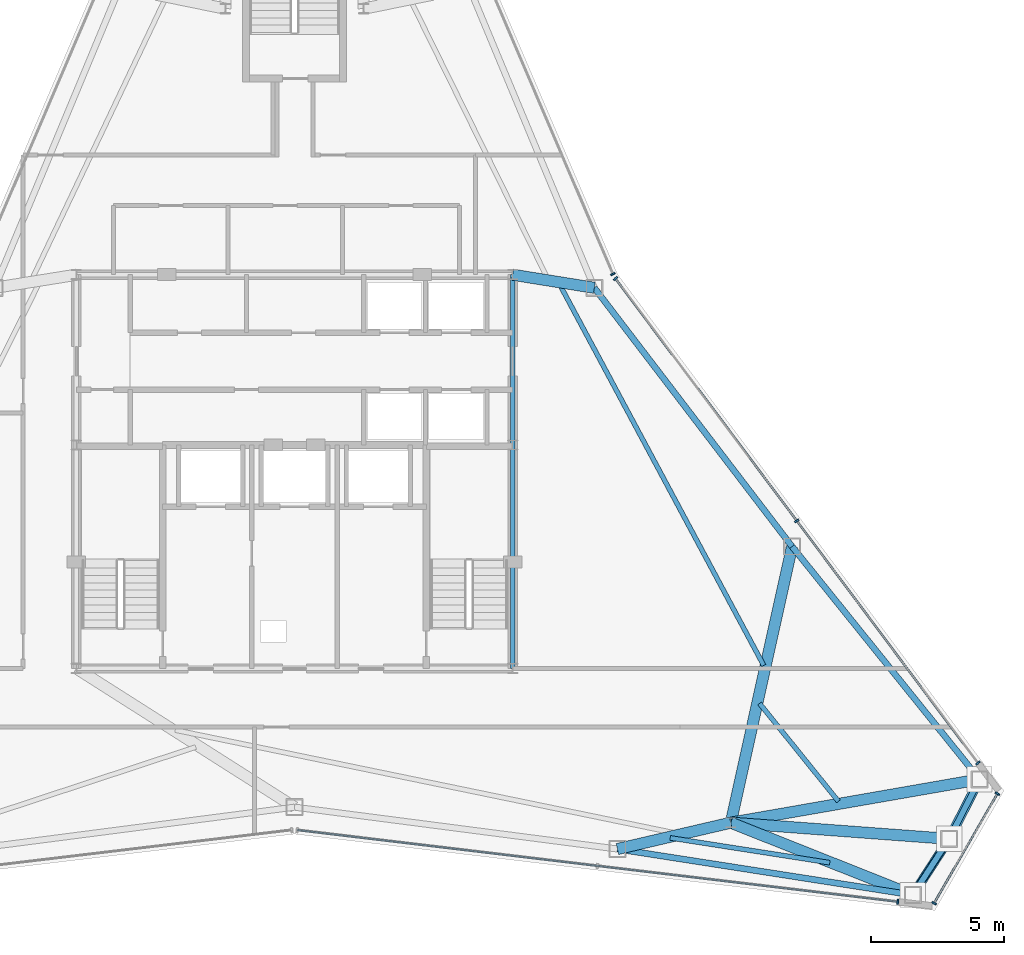
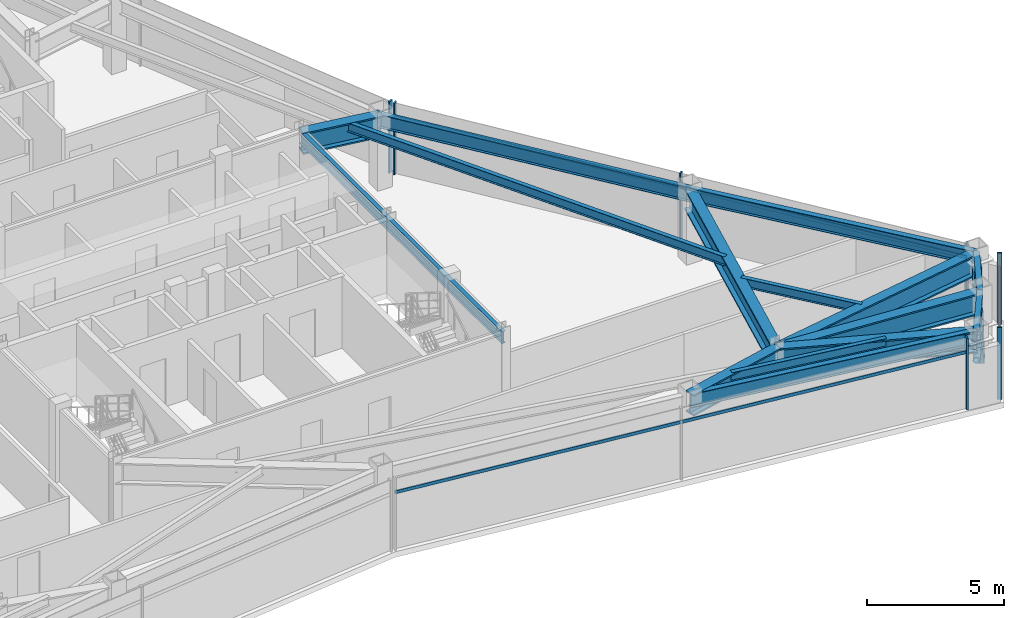
# One storey, part 6 of 12: 15 beams, 13 members, 4 elements without a shape of their own.
"""IFC4 building model written with IfcOpenShell, lengths in metres."""

import ifcopenshell
import ifcopenshell.guid

model = None  # the IFC model being written
_history = None  # IfcOwnerHistory: only IFC2X3 demands one
_inside = {}  # id of a spatial element -> (the spatial element, [elements in it])
_under = {}  # id of a project, library or spatial element -> (it, [spatial elements below it])
_declared = {}  # id of a project -> (the project, [libraries it declares])
_typed = {}  # id of a type object -> (the type object, [elements of that type])
_made_of = {}  # id of a material, layer set ... -> (it, [elements and type objects made of it])


def new_model(schema):
    """Start an empty IFC model of exactly this schema.

    Asked for "IFC4X3", IfcOpenShell would pick the latest addendum, in which some entities
    have other attributes; the version numbers below select the first issue.
    IFC2X3 requires an IfcOwnerHistory on every rooted entity: one is made here for all.
    """
    global model, _history
    if schema == "IFC4X3":
        model = ifcopenshell.file(schema_version=(4, 3, 0, 0))
    else:
        model = ifcopenshell.file(schema=schema)
    _inside.clear()
    _under.clear()
    _declared.clear()
    _typed.clear()
    _made_of.clear()
    _history = None
    if model.schema == "IFC2X3":
        org = make("IfcOrganization", Name="unknown")
        user = make(
            "IfcPersonAndOrganization",
            ThePerson=make("IfcPerson", FamilyName="unknown"),
            TheOrganization=org,
        )
        app = make(
            "IfcApplication",
            ApplicationDeveloper=org,
            Version="unknown",
            ApplicationFullName="unknown",
            ApplicationIdentifier="unknown",
        )
        _history = make(
            "IfcOwnerHistory",
            OwningUser=user,
            OwningApplication=app,
            ChangeAction="ADDED",
            CreationDate=0,
        )
    return model


def make(cls, **values):
    """One entity of the class cls with the attributes given. An attribute that is None is left unset."""
    return model.create_entity(
        cls, **{name: value for name, value in values.items() if value is not None}
    )


def rooted(cls, **values):
    """An entity with a GlobalId (a new one), such as an element, a storey or a relation."""
    return make(cls, GlobalId=ifcopenshell.guid.new(), OwnerHistory=_history, **values)


def si_unit(unit_type, name, prefix=None):
    """IfcSIUnit, for example si_unit("LENGTHUNIT", "METRE", prefix="MILLI")."""
    return make("IfcSIUnit", UnitType=unit_type, Prefix=prefix, Name=name)


def assignment(units):
    """IfcUnitAssignment: the units of a project."""
    return None if units is None else make("IfcUnitAssignment", Units=units)


def point(xyz):
    """IfcCartesianPoint."""
    return None if xyz is None else make("IfcCartesianPoint", Coordinates=xyz)


def direction(xyz):
    """IfcDirection."""
    return None if xyz is None else make("IfcDirection", DirectionRatios=xyz)


def frame(location, z_axis=None, x_axis=None):
    """IfcAxis2Placement3D, a coordinate frame: its origin and axes. An axis left out is left unset."""
    return make(
        "IfcAxis2Placement3D",
        Location=point(location),
        Axis=direction(z_axis),
        RefDirection=direction(x_axis),
    )


def frame_2d(location, x_axis=None):
    """IfcAxis2Placement2D, a coordinate frame in the plane: its origin and x axis."""
    return make(
        "IfcAxis2Placement2D", Location=point(location), RefDirection=direction(x_axis)
    )


def origin():
    """The frame at (0, 0, 0) with its axes left unset."""
    return frame((0.0, 0.0, 0.0))


def origin_2d():
    """The frame at (0, 0) in the plane with its x axis left unset."""
    return frame_2d((0.0, 0.0))


def place(relative_to, where):
    """IfcLocalPlacement: puts the frame where relative to a parent placement (None: the world)."""
    return make(
        "IfcLocalPlacement", PlacementRelTo=relative_to, RelativePlacement=where
    )


def context(
    kind, dimensions, precision=None, world=None, true_north=None, identifier=None
):
    """IfcGeometricRepresentationContext, for example the 3D "Model" context."""
    return make(
        "IfcGeometricRepresentationContext",
        ContextIdentifier=identifier,
        ContextType=kind,
        CoordinateSpaceDimension=dimensions,
        Precision=precision,
        WorldCoordinateSystem=world,
        TrueNorth=true_north,
    )


def subcontext(parent, identifier, kind, view, scale=None):
    """IfcGeometricRepresentationSubContext, for example "Body" below "Model"."""
    return make(
        "IfcGeometricRepresentationSubContext",
        ContextIdentifier=identifier,
        ContextType=kind,
        ParentContext=parent,
        TargetScale=scale,
        TargetView=view,
    )


def project(units=None, contexts=None):
    """IfcProject with its units and contexts."""
    return rooted(
        "IfcProject",
        Name="project",
        RepresentationContexts=contexts,
        UnitsInContext=assignment(units),
    )


def spatial(cls, under=None, at=None, **own):
    """A site, building, storey or space (cls), placed at a placement, below another one or the project."""
    s = rooted(cls, ObjectPlacement=at, **own)
    if under is not None:
        _under.setdefault(under.id(), (under, []))[1].append(s)
    return s


def profile(cls, at=None, kind="AREA", **sizes):
    """A parametric profile (cls). Its sizes go by their IFC names, for example OverallWidth=200.0."""
    return make(cls, ProfileType=kind, Position=at, **sizes)


def rectangle(**sizes):
    """IfcRectangleProfileDef."""
    return profile("IfcRectangleProfileDef", **sizes)


def hollow_rectangle(**sizes):
    """IfcRectangleHollowProfileDef."""
    return profile("IfcRectangleHollowProfileDef", **sizes)


def hollow_circle(**sizes):
    """IfcCircleHollowProfileDef."""
    return profile("IfcCircleHollowProfileDef", **sizes)


def i_section(**sizes):
    """IfcIShapeProfileDef."""
    return profile("IfcIShapeProfileDef", **sizes)


def extrude(swept, where, along, depth):
    """IfcExtrudedAreaSolid: the profile swept, set in the frame where, extruded along a direction by depth."""
    return make(
        "IfcExtrudedAreaSolid",
        SweptArea=swept,
        Position=where,
        ExtrudedDirection=direction(along),
        Depth=depth,
    )


def shape(context_of_items, identifier, shape_type, items):
    """IfcShapeRepresentation: the items that make up one representation, for example the "Body"."""
    return make(
        "IfcShapeRepresentation",
        ContextOfItems=context_of_items,
        RepresentationIdentifier=identifier,
        RepresentationType=shape_type,
        Items=items,
    )


def source(mapping_origin, context_of_items, identifier, shape_type, items):
    """IfcRepresentationMap: a shape defined once, which mapped items show again and again."""
    return make(
        "IfcRepresentationMap",
        MappingOrigin=mapping_origin,
        MappedRepresentation=shape(context_of_items, identifier, shape_type, items),
    )


def transform(
    local_origin,
    x_axis=None,
    y_axis=None,
    z_axis=None,
    scale=None,
    scale2=None,
    scale3=None,
    uniform=True,
):
    """IfcCartesianTransformationOperator3D, or its non-uniform kind. x_axis, y_axis, z_axis: its Axis1, 2, 3."""
    if uniform:
        return make(
            "IfcCartesianTransformationOperator3D",
            Axis1=direction(x_axis),
            Axis2=direction(y_axis),
            LocalOrigin=point(local_origin),
            Scale=scale,
            Axis3=direction(z_axis),
        )
    return make(
        "IfcCartesianTransformationOperator3DnonUniform",
        Axis1=direction(x_axis),
        Axis2=direction(y_axis),
        LocalOrigin=point(local_origin),
        Scale=scale,
        Axis3=direction(z_axis),
        Scale2=scale2,
        Scale3=scale3,
    )


def mapped(mapping_source, mapping_target):
    """IfcMappedItem: shows the shape of a source again, moved by a transform."""
    return make(
        "IfcMappedItem", MappingSource=mapping_source, MappingTarget=mapping_target
    )


def material(Name=None, Category=None):
    """IfcMaterial."""
    return make("IfcMaterial", Name=Name, Category=Category)


def layer(
    of_material, thickness, ventilated=None, Name=None, Category=None, Priority=None
):
    """IfcMaterialLayer: one layer of a wall or slab, of a material (None: an air gap)."""
    return make(
        "IfcMaterialLayer",
        Material=of_material,
        LayerThickness=thickness,
        IsVentilated=ventilated,
        Name=Name,
        Category=Category,
        Priority=Priority,
    )


def layer_set(layers, Name=None):
    """IfcMaterialLayerSet."""
    return make("IfcMaterialLayerSet", MaterialLayers=layers, LayerSetName=Name)


def material_profile(
    of_material, cross_section, Name=None, Category=None, Priority=None
):
    """IfcMaterialProfile: a cross section and its material."""
    return make(
        "IfcMaterialProfile",
        Name=Name,
        Material=of_material,
        Profile=cross_section,
        Priority=Priority,
        Category=Category,
    )


def profile_set(profiles, Name=None, composite=None):
    """IfcMaterialProfileSet."""
    return make(
        "IfcMaterialProfileSet",
        Name=Name,
        MaterialProfiles=profiles,
        CompositeProfile=composite,
    )


def made_of(thing, what):
    """Note that an element or type object is made of a material, layer set ...; save() writes the relation."""
    if what is not None:
        _made_of.setdefault(what.id(), (what, []))[1].append(thing)
    return thing


def type_object(cls, material=None, **own):
    """A type object (cls), such as IfcWallType, which elements share."""
    return made_of(rooted(cls, **own), material)


def type_shapes(of_type, sources):
    """Give a type object the sources (RepresentationMaps) that its elements show as mapped items."""
    of_type.RepresentationMaps = sources


def element(
    cls,
    number,
    at=None,
    inside=None,
    cuts=None,
    type_object=None,
    material=None,
    context=None,
    identifier="Body",
    shape_type=None,
    held_by="IfcProductDefinitionShape",
    body=None,
    shapes=None,
    **own,
):
    """One element of the class cls, such as IfcWall. Its Tag is "e" and its number.

    at: its placement. inside: the storey or other place that contains it. cuts: it is an
    opening in that element (IfcRelVoidsElement). A single representation is given by context,
    identifier, shape_type and body (its items); several are given by shapes. held_by: the class
    of the entity that holds the representations. save() writes the other relations.
    """
    e = rooted(cls, Tag="e%d" % number, ObjectPlacement=at, **own)
    if body is not None:
        shapes = [shape(context, identifier, shape_type, body)]
    if shapes is not None:
        e.Representation = make(held_by, Representations=shapes)
    if inside is not None:
        _inside.setdefault(inside.id(), (inside, []))[1].append(e)
    if cuts is not None:
        rooted(
            "IfcRelVoidsElement", RelatingBuildingElement=cuts, RelatedOpeningElement=e
        )
    if type_object is not None:
        _typed.setdefault(type_object.id(), (type_object, []))[1].append(e)
    return made_of(e, material)


def aggregate(whole, parts):
    """IfcRelAggregates: a whole, such as a stair, and the parts it consists of."""
    return rooted("IfcRelAggregates", RelatingObject=whole, RelatedObjects=parts)


def save(model, path):
    """Write the relations noted so far, then the file.

    IfcRelAggregates (storeys below a building ...), IfcRelContainedInSpatialStructure (elements
    in a storey), IfcRelDefinesByType, IfcRelAssociatesMaterial and IfcRelDeclares: one each for
    every whole, place, type object, material and project.
    """
    for whole, parts in _under.values():
        aggregate(whole, parts)
    for where, things in _inside.values():
        rooted(
            "IfcRelContainedInSpatialStructure",
            RelatedElements=things,
            RelatingStructure=where,
        )
    for kind, things in _typed.values():
        rooted("IfcRelDefinesByType", RelatedObjects=things, RelatingType=kind)
    for what, things in _made_of.values():
        rooted("IfcRelAssociatesMaterial", RelatedObjects=things, RelatingMaterial=what)
    for by, libraries in _declared.values():
        rooted("IfcRelDeclares", RelatingContext=by, RelatedDefinitions=libraries)
    model.write(path)


model = new_model("IFC4")

# Units and contexts
model_context = context("Model", 3, precision=1e-05, world=origin(), true_north=direction((0.0, 1.0)))
body_context = subcontext(model_context, "Body", "Model", "MODEL_VIEW")
ifc_project = project(units=[si_unit("LENGTHUNIT", "METRE"), si_unit("AREAUNIT", "SQUARE_METRE"), si_unit("VOLUMEUNIT", "CUBIC_METRE"), si_unit("PLANEANGLEUNIT", "RADIAN"), si_unit("MASSUNIT", "GRAM", prefix="KILO")], contexts=[model_context])

# Site, building, storey
site_placement = place(None, origin())
site = spatial("IfcSite", under=ifc_project, at=site_placement, CompositionType="ELEMENT")
building_placement = place(site_placement, origin())
building = spatial("IfcBuilding", under=site, at=building_placement, Name="Varakhsha Concourse Tower", CompositionType="ELEMENT")
storey_placement = place(building_placement, frame((0.0, 0.0, 286.5)))
storey = spatial("IfcBuildingStorey", under=building, at=storey_placement, Name="L81", CompositionType="ELEMENT", Elevation=286.5)

# Beams
ifc_material_1 = material(Name="Structural Steel ASTM A992 Grade 50", Category="steel")
ifc_material_profile_1 = material_profile(ifc_material_1, i_section(OverallWidth=0.177978515625, OverallDepth=0.406982421875, WebThickness=0.008056640625, FlangeThickness=0.012939453125, at=origin_2d()), Name="W16X40")
ifc_profile_set_1 = profile_set([ifc_material_profile_1], Name="Structural Steel ASTM A992 Grade 50")
beam_type_1 = type_object("IfcBeamType", Name="BM-JST-W16X40", PredefinedType="JOIST", material=ifc_profile_set_1)
beam_1_placement = place(storey_placement, frame((54.123046875, 10.02880859375, 2.99658203125), z_axis=(0.98809352672, -0.153854419674, 0.0), x_axis=(0.153854419674, 0.98809352672, 0.0)))
element("IfcBeam", 1, at=beam_1_placement, inside=storey, type_object=beam_type_1, Name="BM-TJST-L81-12", PredefinedType="JOIST", context=body_context, shape_type="SweptSolid", body=[
    extrude(i_section(OverallWidth=0.177978515625, OverallDepth=0.406982421875, WebThickness=0.008056640625, FlangeThickness=0.012939453125, at=origin_2d()), origin(), (0.0, 0.0, 1.0), 6.07275390625),
])
beam_2_placement = place(storey_placement, frame((60.44677734375, 11.40283203125, 2.99658203125), z_axis=(-0.627306903234, 0.778772142, 0.0), x_axis=(-0.778772142, -0.627306903234, 0.0)))
element("IfcBeam", 2, at=beam_2_placement, inside=storey, type_object=beam_type_1, Name="BM-TJST-L81-15", PredefinedType="JOIST", context=body_context, shape_type="SweptSolid", body=[
    extrude(i_section(OverallWidth=0.177978515625, OverallDepth=0.406982421875, WebThickness=0.008056640625, FlangeThickness=0.012939453125, at=origin_2d()), origin(), (0.0, 0.0, 1.0), 4.724365234375),
])
beam_3_placement = place(storey_placement, frame((57.638916015625, 16.510498046875, 2.99658203125), z_axis=(-0.472095005665, 0.881547676321, 0.0), x_axis=(-0.881547676321, -0.472095005665, 0.0)))
element("IfcBeam", 3, at=beam_3_placement, inside=storey, type_object=beam_type_1, Name="BM-TJST-L81-16", PredefinedType="JOIST", context=body_context, shape_type="SweptSolid", body=[
    extrude(i_section(OverallWidth=0.177978515625, OverallDepth=0.406982421875, WebThickness=0.008056640625, FlangeThickness=0.012939453125, at=origin_2d()), origin(), (0.0, 0.0, 1.0), 16.240478515625),
])
ifc_material_profile_2 = material_profile(ifc_material_1, i_section(OverallWidth=0.423095703125, OverallDepth=0.947998046875, WebThickness=0.0380859375, FlangeThickness=0.06396484375, at=origin_2d()), Name="W36X302")
ifc_profile_set_2 = profile_set([ifc_material_profile_2], Name="Structural Steel ASTM A992 Grade 50")
beam_type_2 = type_object("IfcBeamType", Name="BM-OUTR-W36X302", PredefinedType="USERDEFINED", material=ifc_profile_set_2)
beam_4_placement = place(storey_placement, frame((56.39990234375, 10.60009765625, 2.72607421875), z_axis=(-0.974053264238, -0.22631888659, 0.0), x_axis=(0.22631888659, -0.974053264238, 0.0)))
element("IfcBeam", 4, at=beam_4_placement, inside=storey, type_object=beam_type_2, Name="L81 Radial Floor Girder 12", ObjectType="GIRDER", PredefinedType="USERDEFINED", context=body_context, shape_type="SweptSolid", body=[
    extrude(i_section(OverallWidth=0.423095703125, OverallDepth=0.947998046875, WebThickness=0.0380859375, FlangeThickness=0.06396484375, at=origin_2d()), origin(), (0.0, 0.0, 1.0), 4.373291015625),
])
beam_5_placement = place(storey_placement, frame((56.39990234375, 10.60009765625, 2.72607421875), z_axis=(0.929358942511, -0.369177404476, 0.0), x_axis=(0.369177404476, 0.929358942511, 0.0)))
element("IfcBeam", 5, at=beam_5_placement, inside=storey, type_object=beam_type_2, Name="L81 Radial Floor Girder 13", ObjectType="GIRDER", PredefinedType="USERDEFINED", context=body_context, shape_type="SweptSolid", body=[
    extrude(i_section(OverallWidth=0.423095703125, OverallDepth=0.947998046875, WebThickness=0.0380859375, FlangeThickness=0.06396484375, at=origin_2d()), origin(), (0.0, 0.0, 1.0), 7.36376953125),
])
beam_6_placement = place(storey_placement, frame((56.39990234375, 10.60009765625, 2.72607421875), z_axis=(0.997265326359, -0.073904457528, 0.0), x_axis=(0.073904457528, 0.997265326359, 0.0)))
element("IfcBeam", 6, at=beam_6_placement, inside=storey, type_object=beam_type_2, Name="L81 Radial Floor Girder 14", ObjectType="GIRDER", PredefinedType="USERDEFINED", context=body_context, shape_type="SweptSolid", body=[
    extrude(i_section(OverallWidth=0.423095703125, OverallDepth=0.947998046875, WebThickness=0.0380859375, FlangeThickness=0.06396484375, at=origin_2d()), origin(), (0.0, 0.0, 1.0), 8.232177734375),
])
beam_7_placement = place(storey_placement, frame((56.39990234375, 10.60009765625, 2.72607421875), z_axis=(0.985160946452, 0.171633066701, 0.0), x_axis=(-0.171633066701, 0.985160946452, 0.0)))
element("IfcBeam", 7, at=beam_7_placement, inside=storey, type_object=beam_type_2, Name="L81 Radial Floor Girder 15", ObjectType="GIRDER", PredefinedType="USERDEFINED", context=body_context, shape_type="SweptSolid", body=[
    extrude(i_section(OverallWidth=0.423095703125, OverallDepth=0.947998046875, WebThickness=0.0380859375, FlangeThickness=0.06396484375, at=origin_2d()), origin(), (0.0, 0.0, 1.0), 9.494873046875),
])
beam_8_placement = place(storey_placement, frame((56.39990234375, 10.60009765625, 2.72607421875), z_axis=(0.216774876947, 0.976221620701, 0.0), x_axis=(-0.976221620701, 0.216774876947, 0.0)))
element("IfcBeam", 8, at=beam_8_placement, inside=storey, type_object=beam_type_2, Name="L81 Radial Floor Girder 16", ObjectType="GIRDER", PredefinedType="USERDEFINED", context=body_context, shape_type="SweptSolid", body=[
    extrude(i_section(OverallWidth=0.423095703125, OverallDepth=0.947998046875, WebThickness=0.0380859375, FlangeThickness=0.06396484375, at=origin_2d()), origin(), (0.0, 0.0, 1.0), 10.634033203125),
])
beam_9_placement = place(storey_placement, frame((48.199951171875, 31.199951171875, 2.72607421875), z_axis=(0.987389151681, -0.158311917245, 0.0), x_axis=(0.158311917245, 0.987389151681, 0.0)))
element("IfcBeam", 9, at=beam_9_placement, inside=storey, type_object=beam_type_2, Name="L81 Radial Floor Girder 17", ObjectType="GIRDER", PredefinedType="USERDEFINED", context=body_context, shape_type="SweptSolid", body=[
    extrude(i_section(OverallWidth=0.423095703125, OverallDepth=0.947998046875, WebThickness=0.0380859375, FlangeThickness=0.06396484375, at=origin_2d()), origin(), (0.0, 0.0, 1.0), 3.110595703125),
])
ifc_material_profile_3 = material_profile(ifc_material_1, i_section(OverallWidth=0.1669921875, OverallDepth=0.534912109375, WebThickness=0.010009765625, FlangeThickness=0.01708984375, at=origin_2d()), Name="W21X57")
ifc_profile_set_3 = profile_set([ifc_material_profile_3], Name="Structural Steel ASTM A992 Grade 50")
beam_type_3 = type_object("IfcBeamType", Name="BM-RAD-W21X57", PredefinedType="BEAM", material=ifc_profile_set_3)
beam_10_placement = place(storey_placement, frame((48.199951171875, 16.39990234375, 2.9326171875), z_axis=(0.0, 1.0, 0.0), x_axis=(-1.0, 0.0, 0.0)))
element("IfcBeam", 10, at=beam_10_placement, inside=storey, type_object=beam_type_3, Name="BM-TCORE-L81-CE", PredefinedType="BEAM", context=body_context, shape_type="SweptSolid", body=[
    extrude(i_section(OverallWidth=0.1669921875, OverallDepth=0.534912109375, WebThickness=0.010009765625, FlangeThickness=0.01708984375, at=origin_2d()), origin(), (0.0, 0.0, 1.0), 14.800048828125),
])
ifc_material_profile_4 = material_profile(ifc_material_1, i_section(OverallWidth=0.22900390625, OverallDepth=0.612060546875, WebThickness=0.011962890625, FlangeThickness=0.02001953125, at=origin_2d()), Name="W24X84")
ifc_profile_set_4 = profile_set([ifc_material_profile_4], Name="Structural Steel ASTM A992 Grade 50")
beam_type_4 = type_object("IfcBeamType", Name="BM-SPAN-W24X84", PredefinedType="SPANDREL", material=ifc_profile_set_4)
beam_11_placement = place(storey_placement, frame((52.14013671875, 9.6103515625, 2.89404296875), z_axis=(0.988095047233, -0.153844654224, 0.0), x_axis=(0.153844654224, 0.988095047233, 0.0)))
element("IfcBeam", 11, at=beam_11_placement, inside=storey, type_object=beam_type_4, Name="BM-SPAN-L81-12", PredefinedType="SPANDREL", context=body_context, shape_type="SweptSolid", body=[
    extrude(i_section(OverallWidth=0.22900390625, OverallDepth=0.612060546875, WebThickness=0.011962890625, FlangeThickness=0.02001953125, at=origin_2d()), origin(), (0.0, 0.0, 1.0), 11.237060546875),
])
for number, where, z_axis, x_axis, name in (
    (12, (63.243408203125, 7.881591796875, 2.89404296875), (0.543488847416, 0.839416388173, 0.0), (-0.839416388173, 0.543488847416, 0.0), "BM-SPAN-L81-13"),
    (13, (64.609619140625, 9.99169921875, 2.89404296875), (0.455237693932, 0.89036994672, 0.0), (-0.89036994672, 0.455237693932, 0.0), "BM-SPAN-L81-14"),
):
    element("IfcBeam", number, at=place(storey_placement, frame(where, z_axis=z_axis, x_axis=x_axis)), inside=storey, type_object=beam_type_4, Name=name, PredefinedType="SPANDREL", context=body_context, shape_type="SweptSolid", body=[
        extrude(i_section(OverallWidth=0.22900390625, OverallDepth=0.612060546875, WebThickness=0.011962890625, FlangeThickness=0.02001953125, at=origin_2d()), origin(), (0.0, 0.0, 1.0), 2.513671875),
    ])
beam_12_placement = place(storey_placement, frame((65.75390625, 12.229736328125, 2.89404296875), z_axis=(-0.627277564502, 0.778795773661, 0.0), x_axis=(-0.778795773661, -0.627277564502, 0.0)))
element("IfcBeam", 14, at=beam_12_placement, inside=storey, type_object=beam_type_4, Name="BM-SPAN-L81-15", PredefinedType="SPANDREL", context=body_context, shape_type="SweptSolid", body=[
    extrude(i_section(OverallWidth=0.22900390625, OverallDepth=0.612060546875, WebThickness=0.011962890625, FlangeThickness=0.02001953125, at=origin_2d()), origin(), (0.0, 0.0, 1.0), 11.237060546875),
])
beam_13_placement = place(storey_placement, frame((58.705078125, 20.981201171875, 2.89404296875), z_axis=(-0.60724726041, 0.794512910357, 0.0), x_axis=(-0.794512910357, -0.60724726041, 0.0)))
element("IfcBeam", 15, at=beam_13_placement, inside=storey, type_object=beam_type_4, Name="BM-SPAN-L81-16", PredefinedType="SPANDREL", context=body_context, shape_type="SweptSolid", body=[
    extrude(i_section(OverallWidth=0.22900390625, OverallDepth=0.612060546875, WebThickness=0.011962890625, FlangeThickness=0.02001953125, at=origin_2d()), origin(), (0.0, 0.0, 1.0), 12.241943359375),
])

# Members
ifc_material_2 = material(Name="Structural Steel ASTM A500 Grade C", Category="steel")
ifc_material_profile_5 = material_profile(ifc_material_2, hollow_rectangle(XDim=0.35009765625, YDim=0.35009765625, WallThickness=0.01611328125, at=origin_2d()), Name="HSS 350x350x16")
ifc_profile_set_5 = profile_set([ifc_material_profile_5], Name="Structural Steel ASTM A500 Grade C")
member_type_1 = type_object("IfcMemberType", Name="MB-TUBE-HSS350", PredefinedType="BRACE", material=ifc_profile_set_5)
shared_shape_1 = source(origin(), body_context, "Body", "SweptSolid", [
    extrude(hollow_rectangle(XDim=0.35009765625, YDim=0.35009765625, WallThickness=0.01611328125, at=origin_2d()), origin(), (0.0, 0.0, 1.0), 3.747802734375),
])
type_shapes(member_type_1, [shared_shape_1])
for number, where, z_axis, x_axis, name in (
    (16, (64.609619140625, 9.99169921875, 0.1201171875), (-0.364533062698, -0.563019882219, 0.741703618992), (0.839416388173, -0.543488847416, 0.0), "L81 Wind-Corner Tube Brace B05"),
    (17, (64.609619140625, 9.99169921875, 0.1201171875), (0.305328832075, 0.597172904551, 0.741726921699), (-0.89036994672, 0.455237693932, 0.0), "L81 Wind-Corner Tube Brace B06"),
):
    element("IfcMember", number, at=place(storey_placement, frame(where, z_axis=z_axis, x_axis=x_axis)), inside=storey, type_object=member_type_1, Name=name, PredefinedType="BRACE", context=body_context, shape_type="MappedRepresentation", body=[
        mapped(shared_shape_1, transform((0.0, 0.0, 0.0), scale=1.0)),
    ])
ifc_material_profile_6 = material_profile(ifc_material_2, hollow_circle(Radius=0.136474609375, WallThickness=0.011962890625, at=origin_2d()), Name="CHS 273x12")
ifc_profile_set_6 = profile_set([ifc_material_profile_6], Name="Structural Steel ASTM A500 Grade C")
member_type_2 = type_object("IfcMemberType", Name="MB-WIND-CHS273", PredefinedType="COLLAR", material=ifc_profile_set_6)
shared_shape_2 = source(origin(), body_context, "Body", "SweptSolid", [
    extrude(hollow_circle(Radius=0.136474609375, WallThickness=0.011962890625, at=origin_2d()), origin(), (0.0, 0.0, 1.0), 2.513671875),
])
type_shapes(member_type_2, [shared_shape_2])
member_1_placement = place(storey_placement, frame((63.243408203125, 7.881591796875, 1.800048828125), z_axis=(0.543488847416, 0.839416388173, 0.0), x_axis=(-0.839416388173, 0.543488847416, 0.0)))
element("IfcMember", 18, at=member_1_placement, inside=storey, type_object=member_type_2, Name="L81 Wind-Corner Collar Tie 3", PredefinedType="COLLAR", context=body_context, shape_type="MappedRepresentation", body=[
    mapped(shared_shape_2, transform((0.0, 0.0, 0.0), scale=1.0)),
])

# Curtain wall, member
ifc_material_3 = material(Name="Anodised Bronze Architectural Aluminium AA 6063-T6", Category="aluminium")
ifc_layer = layer(ifc_material_3, 0.199951171875, Name="CW-SYS-05")
ifc_layer_set = layer_set([ifc_layer], Name="Anodised Bronze Architectural Aluminium AA 6063-T6")
curtain_wall_type = type_object("IfcCurtainWallType", Name="CW-SYS-05", PredefinedType="NOTDEFINED", material=ifc_layer_set)
curtain_wall_1_placement = place(storey_placement, origin())
curtain_wall_1 = element("IfcCurtainWall", 19, at=curtain_wall_1_placement, inside=storey, type_object=curtain_wall_type, Name="L81 Crystal Curtain Wall F6", PredefinedType="NOTDEFINED")
ifc_material_profile_7 = material_profile(ifc_material_3, rectangle(XDim=0.06494140625, YDim=0.179931640625, at=origin_2d()), Name="CWM-180X65")
ifc_profile_set_7 = profile_set([ifc_material_profile_7], Name="Anodised Bronze Architectural Aluminium AA 6063-T6")
member_type_3 = type_object("IfcMemberType", Name="CWM-180X65", PredefinedType="MULLION", material=ifc_profile_set_7)
shared_shape_3 = source(origin(), body_context, "Body", "SweptSolid", [
    extrude(rectangle(XDim=0.06494140625, YDim=0.179931640625, at=origin_2d()), origin(), (0.0, 0.0, 1.0), 3.199951171875),
])
type_shapes(member_type_3, [shared_shape_3])
member_2_placement = place(storey_placement, frame((62.6806640625, 7.627197265625, 0.0), z_axis=(0.0, 0.0, 1.0), x_axis=(-0.992952482908, 0.118513149851, 0.0)))
member_2 = element("IfcMember", 20, at=member_2_placement, type_object=member_type_3, Name="CW-L81-F6 Mullion 00", PredefinedType="MULLION", context=body_context, shape_type="MappedRepresentation", body=[
    mapped(shared_shape_3, transform((0.0, 0.0, 0.0), scale=1.0)),
])

# Curtain wall, members
curtain_wall_2_placement = place(storey_placement, origin())
curtain_wall_2 = element("IfcCurtainWall", 21, at=curtain_wall_2_placement, inside=storey, type_object=curtain_wall_type, Name="L81 Chamfer Curtain Wall F7", PredefinedType="NOTDEFINED")
member_3_placement = place(storey_placement, frame((66.423095703125, 11.69287109375, 0.0), z_axis=(0.0, 0.0, 1.0), x_axis=(-0.4999984885, -0.866026276448, 0.0)))
member_3 = element("IfcMember", 22, at=member_3_placement, type_object=member_type_3, Name="CW-L81-F7 Mullion 00", PredefinedType="MULLION", context=body_context, shape_type="MappedRepresentation", body=[
    mapped(shared_shape_3, transform((0.0, 0.0, 0.0), scale=1.0)),
])
member_4_placement = place(storey_placement, frame((64.043212890625, 7.570556640625, 0.0), z_axis=(0.0, 0.0, 1.0), x_axis=(-0.4999984885, -0.866026276448, 0.0)))
member_4 = element("IfcMember", 23, at=member_4_placement, type_object=member_type_3, Name="CW-L81-F7 Mullion 01", PredefinedType="MULLION", context=body_context, shape_type="MappedRepresentation", body=[
    mapped(shared_shape_3, transform((0.0, 0.0, 0.0), scale=1.0)),
])

curtain_wall_3_placement = place(storey_placement, origin())
curtain_wall_3 = element("IfcCurtainWall", 24, at=curtain_wall_3_placement, inside=storey, type_object=curtain_wall_type, Name="L81 Crystal Curtain Wall F8", PredefinedType="NOTDEFINED")
member_5_placement = place(storey_placement, frame((52.0673828125, 31.0537109375, 0.0), z_axis=(0.0, 0.0, 1.0), x_axis=(0.599113037331, -0.800664454375, 0.0)))
member_5 = element("IfcMember", 25, at=member_5_placement, type_object=member_type_3, Name="CW-L81-F8 Mullion 00", PredefinedType="MULLION", context=body_context, shape_type="MappedRepresentation", body=[
    mapped(shared_shape_3, transform((0.0, 0.0, 0.0), scale=1.0)),
])
member_6_placement = place(storey_placement, frame((58.880126953125, 21.948974609375, 0.0), z_axis=(0.0, 0.0, 1.0), x_axis=(0.599113037331, -0.800664454375, 0.0)))
member_6 = element("IfcMember", 26, at=member_6_placement, type_object=member_type_3, Name="CW-L81-F8 Mullion 01", PredefinedType="MULLION", context=body_context, shape_type="MappedRepresentation", body=[
    mapped(shared_shape_3, transform((0.0, 0.0, 0.0), scale=1.0)),
])
member_7_placement = place(storey_placement, frame((65.69287109375, 12.844482421875, 0.0), z_axis=(0.0, 0.0, 1.0), x_axis=(0.599113037331, -0.800664454375, 0.0)))
member_7 = element("IfcMember", 27, at=member_7_placement, type_object=member_type_3, Name="CW-L81-F8 Mullion 02", PredefinedType="MULLION", context=body_context, shape_type="MappedRepresentation", body=[
    mapped(shared_shape_3, transform((0.0, 0.0, 0.0), scale=1.0)),
])

# Curtain wall, member
curtain_wall_4_placement = place(storey_placement, origin())
curtain_wall_4 = element("IfcCurtainWall", 28, at=curtain_wall_4_placement, inside=storey, type_object=curtain_wall_type, Name="L81 Crystal Curtain Wall F9", PredefinedType="NOTDEFINED")
member_8_placement = place(storey_placement, frame((51.968994140625, 31.22412109375, 0.0), z_axis=(0.0, 0.0, 1.0), x_axis=(0.393839238731, -0.919179337255, 0.0)))
member_8 = element("IfcMember", 29, at=member_8_placement, type_object=member_type_3, Name="CW-L81-F9 Mullion 02", PredefinedType="MULLION", context=body_context, shape_type="MappedRepresentation", body=[
    mapped(shared_shape_3, transform((0.0, 0.0, 0.0), scale=1.0)),
])
aggregate(curtain_wall_4, [member_8])

# Member
ifc_material_profile_8 = material_profile(ifc_material_3, rectangle(XDim=0.06005859375, YDim=0.139892578125, at=origin_2d()), Name="CWT-140X60")
ifc_profile_set_8 = profile_set([ifc_material_profile_8], Name="Anodised Bronze Architectural Aluminium AA 6063-T6")
member_type_4 = type_object("IfcMemberType", Name="CWT-140X60", PredefinedType="USERDEFINED", material=ifc_profile_set_8)
shared_shape_4 = source(origin(), body_context, "Body", "SweptSolid", [
    extrude(rectangle(XDim=0.06005859375, YDim=0.139892578125, at=origin_2d()), origin(), (0.0, 0.0, 1.0), 22.74267578125),
])
member_9_placement = place(storey_placement, frame((62.6806640625, 7.627197265625, 2.550048828125), z_axis=(-0.992952375289, 0.118514051517, 0.0), x_axis=(-0.118514051517, -0.992952375289, 0.0)))
member_9 = element("IfcMember", 30, at=member_9_placement, type_object=member_type_4, Name="CW-L81-F6 Transom 01", ObjectType="TRANSOM", PredefinedType="USERDEFINED", context=body_context, shape_type="MappedRepresentation", body=[
    mapped(shared_shape_4, transform((0.0, 0.0, 0.0), scale=1.0)),
])

aggregate(curtain_wall_1, [member_2, member_9])

member_10_placement = place(storey_placement, frame((52.0673828125, 31.0537109375, 2.550048828125), z_axis=(0.599115077017, -0.800662928136, 0.0), x_axis=(0.800662928136, 0.599115077017, 0.0)))
member_10 = element("IfcMember", 31, at=member_10_placement, type_object=member_type_4, Name="CW-L81-F8 Transom 01", ObjectType="TRANSOM", PredefinedType="USERDEFINED", context=body_context, shape_type="MappedRepresentation", body=[
    mapped(shared_shape_4, transform((0.0, 0.0, 0.0), scale=1.0)),
])

aggregate(curtain_wall_3, [member_5, member_6, member_7, member_10])

shared_shape_5 = source(origin(), body_context, "Body", "SweptSolid", [
    extrude(rectangle(XDim=0.06005859375, YDim=0.139892578125, at=origin_2d()), origin(), (0.0, 0.0, 1.0), 4.760009765625),
])
type_shapes(member_type_4, [shared_shape_4, shared_shape_5])
member_11_placement = place(storey_placement, frame((66.423095703125, 11.69287109375, 2.550048828125), z_axis=(-0.499978485002, -0.866037825118, 0.0), x_axis=(0.866037825118, -0.499978485002, 0.0)))
member_11 = element("IfcMember", 32, at=member_11_placement, type_object=member_type_4, Name="CW-L81-F7 Transom 01", ObjectType="TRANSOM", PredefinedType="USERDEFINED", context=body_context, shape_type="MappedRepresentation", body=[
    mapped(shared_shape_5, transform((0.0, 0.0, 0.0), scale=1.0)),
])

aggregate(curtain_wall_2, [member_3, member_4, member_11])

save(model, "model.ifc")
